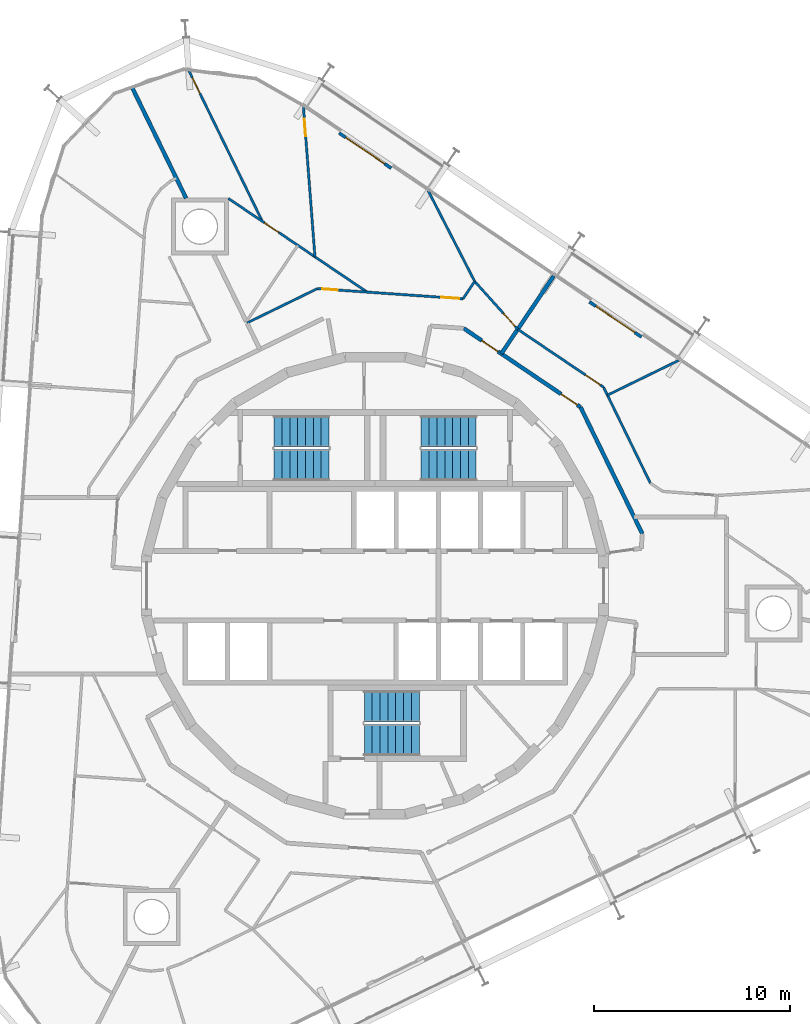
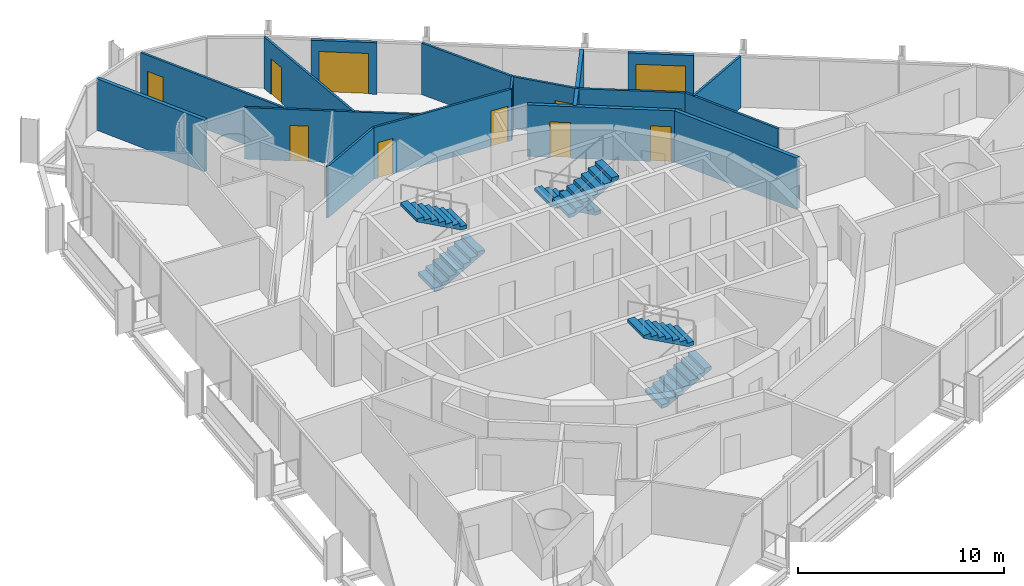
# One storey, part 16 of 17: 17 walls, 11 doors, 6 stair flights, 11 openings, 3 elements without a shape of their own.
"""IFC4 building model written with IfcOpenShell, lengths in metres."""

from ifc_helpers import new_model, si_unit, direction, frame, frame_2d, origin, place, context, subcontext, project, spatial, polyline, rectangle, outline, extrude, material, layer, layer_set, type_object, element, fill, aggregate, save


model = new_model("IFC4")

# Units and contexts
model_context = context("Model", 3, precision=1e-05, world=origin(), true_north=direction((0.0, 1.0)))
body_context = subcontext(model_context, "Body", "Model", "MODEL_VIEW")
ifc_project = project(units=[si_unit("LENGTHUNIT", "METRE"), si_unit("AREAUNIT", "SQUARE_METRE"), si_unit("VOLUMEUNIT", "CUBIC_METRE"), si_unit("PLANEANGLEUNIT", "RADIAN"), si_unit("MASSUNIT", "GRAM", prefix="KILO")], contexts=[model_context])

# Site, building, storey
site_placement = place(None, origin())
site = spatial("IfcSite", under=ifc_project, at=site_placement, CompositionType="ELEMENT")
building_placement = place(site_placement, origin())
building = spatial("IfcBuilding", under=site, at=building_placement, Name="Spindle Arch Residences", CompositionType="ELEMENT")
storey_placement = place(building_placement, frame((0.0, 0.0, 216.39990234375)))
storey = spatial("IfcBuildingStorey", under=building, at=storey_placement, Name="L55", CompositionType="ELEMENT", Elevation=216.39990234375)

# Wall, openings, doors
ifc_material_1 = material(Name="Calcium silicate block, plastered")
ifc_layer_1 = layer(ifc_material_1, 0.199951171875)
ifc_layer_set_1 = layer_set([ifc_layer_1], Name="Corridor wall 200")
wall_type_1 = type_object("IfcWallType", Name="Corridor wall 200", PredefinedType="STANDARD", material=ifc_layer_set_1)
wall_1_placement = place(storey_placement, frame((10.469970703125, 9.101318359375, 0.0), z_axis=(0.0, 0.0, 1.0), x_axis=(-0.829035841718, 0.559195469534, 0.0)))
wall_1 = element("IfcWall", 1, at=wall_1_placement, inside=storey, type_object=wall_type_1, Name="Corridor wall R5C0-W005", PredefinedType="STANDARD", context=body_context, shape_type="SweptSolid", body=[
    extrude(rectangle(XDim=7.18115234375, YDim=0.199951171875, at=frame_2d((3.590576171875, 0.0))), origin(), (0.0, 0.0, 1.0), 3.050048828125),
])
opening_1_placement = place(wall_1_placement, frame((0.199951171875, 0.0, 0.0)))
opening_1 = element("IfcOpeningElement", 2, at=opening_1_placement, cuts=wall_1, Name="Opening R5C0-FD01", PredefinedType="OPENING", context=body_context, shape_type="SweptSolid", body=[
    extrude(rectangle(XDim=1.0, YDim=2.10009765625, at=frame_2d((0.5, 1.050048828125))), frame((0.0, 0.10986328125, 0.0), z_axis=(0.0, -1.0, 0.0), x_axis=(1.0, 0.0, 0.0)), (0.0, 0.0, 1.0), 0.219970703125),
])
opening_2_placement = place(wall_1_placement, frame((5.07275390625, 0.0, 0.0)))
opening_2 = element("IfcOpeningElement", 3, at=opening_2_placement, cuts=wall_1, Name="Opening R5C0-FD02", PredefinedType="OPENING", context=body_context, shape_type="SweptSolid", body=[
    extrude(rectangle(XDim=1.0, YDim=2.10009765625, at=frame_2d((0.5, 1.050048828125))), frame((0.0, 0.10986328125, 0.0), z_axis=(0.0, -1.0, 0.0), x_axis=(1.0, 0.0, 0.0)), (0.0, 0.0, 1.0), 0.219970703125),
])
ifc_material_2 = material(Name="Timber, fire-resisting door set", Category="wood")
door_type_1 = type_object("IfcDoorType", Name="Flat entrance door 1000x2100", OperationType="NOTDEFINED", PredefinedType="DOOR", material=ifc_material_2)
door_1_placement = place(opening_1_placement, origin())
door_1 = element("IfcDoor", 4, at=door_1_placement, inside=storey, type_object=door_type_1, Name="Flat entrance door R5C0-FD01", OperationType="SINGLE_SWING_LEFT", OverallHeight=2.10009765625, OverallWidth=1.0, PredefinedType="DOOR", context=body_context, shape_type="SweptSolid", body=[
    extrude(rectangle(XDim=1.0, YDim=2.10009765625, at=frame_2d((0.5, 1.050048828125))), frame((0.0, 0.02490234375, 0.0), z_axis=(0.0, -1.0, 0.0), x_axis=(1.0, 0.0, 0.0)), (0.0, 0.0, 1.0), 0.050048828125),
])
fill(opening_1, door_1)
door_2_placement = place(opening_2_placement, origin())
door_2 = element("IfcDoor", 5, at=door_2_placement, inside=storey, type_object=door_type_1, Name="Flat entrance door R5C0-FD02", OperationType="SINGLE_SWING_RIGHT", OverallHeight=2.10009765625, OverallWidth=1.0, PredefinedType="DOOR", context=body_context, shape_type="SweptSolid", body=[
    extrude(rectangle(XDim=1.0, YDim=2.10009765625, at=frame_2d((0.5, 1.050048828125))), frame((0.0, 0.02490234375, 0.0), z_axis=(0.0, -1.0, 0.0), x_axis=(1.0, 0.0, 0.0)), (0.0, 0.0, 1.0), 0.050048828125),
])
fill(opening_2, door_2)

# Walls
ifc_material_3 = material(Name="Calcium silicate block, plastered")
ifc_layer_2 = layer(ifc_material_3, 0.199951171875)
ifc_layer_set_2 = layer_set([ifc_layer_2], Name="Fire-lift lobby bay wall 200")
wall_type_2 = type_object("IfcWallType", Name="Fire-lift lobby bay wall 200", PredefinedType="STANDARD", material=ifc_layer_set_2)
wall_2_placement = place(storey_placement, frame((13.617919921875, 2.64697265625, 0.0), z_axis=(0.0, 0.0, 1.0), x_axis=(-0.438366026218, 0.898796543751, 0.0)))
element("IfcWall", 6, at=wall_2_placement, inside=storey, type_object=wall_type_2, Name="Fire-lift lobby bay wall R5C0-W004", PredefinedType="STANDARD", context=body_context, shape_type="SweptSolid", body=[
    extrude(rectangle(XDim=7.18115234375, YDim=0.199951171875, at=frame_2d((3.590576171875, 0.0))), origin(), (0.0, 0.0, 1.0), 3.050048828125),
])
ifc_material_4 = material(Name="Plasterboard on steel studs", Category="steel")
ifc_layer_3 = layer(ifc_material_4, 0.1201171875)
ifc_layer_set_3 = layer_set([ifc_layer_3], Name="Flat partition 120")
wall_type_3 = type_object("IfcWallType", Name="Flat partition 120", PredefinedType="PARTITIONING", material=ifc_layer_set_3)
wall_3_placement = place(storey_placement, frame((14.02587890625, 5.232177734375, 0.0), z_axis=(0.0, 0.0, 1.0), x_axis=(-0.438374985284, 0.89879217413, 0.0)))
element("IfcWall", 7, at=wall_3_placement, inside=storey, type_object=wall_type_3, Name="Flat partition R5C0-W040", PredefinedType="PARTITIONING", context=body_context, shape_type="SweptSolid", body=[
    extrude(rectangle(XDim=5.438232421875, YDim=0.1201171875, at=frame_2d((2.71923828125, 0.0))), origin(), (0.0, 0.0, 1.0), 3.050048828125),
])

# Wall, opening, door
wall_4_placement = place(storey_placement, frame((11.641845703125, 10.1201171875, 0.0), z_axis=(0.0, 0.0, 1.0), x_axis=(-0.829054664054, 0.559167563446, 0.0)))
wall_4 = element("IfcWall", 8, at=wall_4_placement, inside=storey, type_object=wall_type_3, Name="Flat partition R5C0-W041", PredefinedType="PARTITIONING", context=body_context, shape_type="SweptSolid", body=[
    extrude(rectangle(XDim=5.274658203125, YDim=0.1201171875, at=frame_2d((2.63720703125, 0.0))), origin(), (0.0, 0.0, 1.0), 3.050048828125),
])
opening_3_placement = place(wall_4_placement, frame((0.199951171875, 0.0, 0.0)))
opening_3 = element("IfcOpeningElement", 9, at=opening_3_placement, cuts=wall_4, Name="Opening R5C0-ID02", PredefinedType="OPENING", context=body_context, shape_type="SweptSolid", body=[
    extrude(rectangle(XDim=0.89990234375, YDim=2.10009765625, at=frame_2d((0.449951171875, 1.050048828125))), frame((0.0, 0.070068359375, 0.0), z_axis=(0.0, -1.0, 0.0), x_axis=(1.0, 0.0, 0.0)), (0.0, 0.0, 1.0), 0.14013671875),
])
ifc_material_5 = material(Name="Timber door set", Category="wood")
door_type_2 = type_object("IfcDoorType", Name="Room door 900x2100", OperationType="NOTDEFINED", PredefinedType="DOOR", material=ifc_material_5)
door_3_placement = place(opening_3_placement, origin())
door_3 = element("IfcDoor", 10, at=door_3_placement, inside=storey, type_object=door_type_2, Name="Room door R5C0-ID02", OperationType="SINGLE_SWING_LEFT", OverallHeight=2.10009765625, OverallWidth=0.89990234375, PredefinedType="DOOR", context=body_context, shape_type="SweptSolid", body=[
    extrude(rectangle(XDim=0.89990234375, YDim=2.10009765625, at=frame_2d((0.449951171875, 1.050048828125))), frame((0.0, 0.02490234375, 0.0), z_axis=(0.0, -1.0, 0.0), x_axis=(1.0, 0.0, 0.0)), (0.0, 0.0, 1.0), 0.050048828125),
])
fill(opening_3, door_3)

# Wall
wall_5_placement = place(storey_placement, frame((15.48193359375, 11.4873046875, 0.0), z_axis=(0.0, 0.0, 1.0), x_axis=(-0.898807251285, -0.438344071521, 0.0)))
element("IfcWall", 11, at=wall_5_placement, inside=storey, type_object=wall_type_3, Name="Flat partition R5C0-W047", PredefinedType="PARTITIONING", context=body_context, shape_type="SweptSolid", body=[
    extrude(rectangle(XDim=4.05078125, YDim=0.1201171875, at=frame_2d((2.025390625, 0.0))), origin(), (0.0, 0.0, 1.0), 3.050048828125),
])

# Wall, opening, door
wall_6_placement = place(storey_placement, frame((7.268798828125, 13.069580078125, 0.0), z_axis=(0.0, 0.0, 1.0), x_axis=(-0.668495993587, 0.743715743116, 0.0)))
wall_6 = element("IfcWall", 12, at=wall_6_placement, inside=storey, type_object=wall_type_3, Name="Flat partition R5C0-W048", PredefinedType="PARTITIONING", context=body_context, shape_type="SweptSolid", body=[
    extrude(rectangle(XDim=3.281494140625, YDim=0.1201171875, at=frame_2d((1.640625, 0.0))), origin(), (0.0, 0.0, 1.0), 3.050048828125),
])
opening_4_placement = place(wall_6_placement, frame((0.199951171875, 0.0, 0.0)))
opening_4 = element("IfcOpeningElement", 13, at=opening_4_placement, cuts=wall_6, Name="Opening R5C0-ID05", PredefinedType="OPENING", context=body_context, shape_type="SweptSolid", body=[
    extrude(rectangle(XDim=0.89990234375, YDim=2.10009765625, at=frame_2d((0.449951171875, 1.050048828125))), frame((0.0, 0.070068359375, 0.0), z_axis=(0.0, -1.0, 0.0), x_axis=(1.0, 0.0, 0.0)), (0.0, 0.0, 1.0), 0.14013671875),
])
door_4_placement = place(opening_4_placement, origin())
door_4 = element("IfcDoor", 14, at=door_4_placement, inside=storey, type_object=door_type_2, Name="Room door R5C0-ID05", OperationType="SINGLE_SWING_RIGHT", OverallHeight=2.10009765625, OverallWidth=0.89990234375, PredefinedType="DOOR", context=body_context, shape_type="SweptSolid", body=[
    extrude(rectangle(XDim=0.89990234375, YDim=2.10009765625, at=frame_2d((0.449951171875, 1.050048828125))), frame((0.0, 0.02490234375, 0.0), z_axis=(0.0, -1.0, 0.0), x_axis=(1.0, 0.0, 0.0)), (0.0, 0.0, 1.0), 0.050048828125),
])
fill(opening_4, door_4)

# Wall
wall_7_placement = place(storey_placement, frame((5.0751953125, 15.510009765625, 0.0), z_axis=(0.0, 0.0, 1.0), x_axis=(-0.559221936342, -0.829017988896, 0.0)))
element("IfcWall", 15, at=wall_7_placement, inside=storey, type_object=wall_type_3, Name="Flat partition R5C0-W049", PredefinedType="PARTITIONING", context=body_context, shape_type="SweptSolid", body=[
    extrude(rectangle(XDim=1.069580078125, YDim=0.1201171875, at=frame_2d((0.53466796875, 0.0))), origin(), (0.0, 0.0, 1.0), 3.050048828125),
])

# Wall, openings, doors
wall_8_placement = place(storey_placement, frame((4.47705078125, 14.623291015625, 0.0), z_axis=(0.0, 0.0, 1.0), x_axis=(-0.997564862172, 0.069744861884, 0.0)))
wall_8 = element("IfcWall", 16, at=wall_8_placement, inside=storey, type_object=wall_type_3, Name="Flat partition R5C0-W050", PredefinedType="PARTITIONING", context=body_context, shape_type="SweptSolid", body=[
    extrude(rectangle(XDim=7.4384765625, YDim=0.1201171875, at=frame_2d((3.71923828125, 0.0))), origin(), (0.0, 0.0, 1.0), 3.050048828125),
])
opening_5_placement = place(wall_8_placement, frame((0.199951171875, 0.0, 0.0)))
opening_5 = element("IfcOpeningElement", 17, at=opening_5_placement, cuts=wall_8, Name="Opening R5C0-ID06", PredefinedType="OPENING", context=body_context, shape_type="SweptSolid", body=[
    extrude(rectangle(XDim=0.89990234375, YDim=2.10009765625, at=frame_2d((0.449951171875, 1.050048828125))), frame((0.0, 0.070068359375, 0.0), z_axis=(0.0, -1.0, 0.0), x_axis=(1.0, 0.0, 0.0)), (0.0, 0.0, 1.0), 0.14013671875),
])
opening_6_placement = place(wall_8_placement, frame((6.39208984375, 0.0, 0.0)))
opening_6 = element("IfcOpeningElement", 18, at=opening_6_placement, cuts=wall_8, Name="Opening R5C0-BD02", PredefinedType="OPENING", context=body_context, shape_type="SweptSolid", body=[
    extrude(rectangle(XDim=0.800048828125, YDim=2.10009765625, at=frame_2d((0.39990234375, 1.050048828125))), frame((0.0, 0.070068359375, 0.0), z_axis=(0.0, -1.0, 0.0), x_axis=(1.0, 0.0, 0.0)), (0.0, 0.0, 1.0), 0.14013671875),
])
ifc_material_6 = material(Name="Timber door set", Category="wood")
door_type_3 = type_object("IfcDoorType", Name="Bathroom door 800x2100", OperationType="NOTDEFINED", PredefinedType="DOOR", material=ifc_material_6)
door_5_placement = place(opening_6_placement, origin())
door_5 = element("IfcDoor", 19, at=door_5_placement, inside=storey, type_object=door_type_3, Name="Bathroom door R5C0-BD02", OperationType="SINGLE_SWING_RIGHT", OverallHeight=2.10009765625, OverallWidth=0.800048828125, PredefinedType="DOOR", context=body_context, shape_type="SweptSolid", body=[
    extrude(rectangle(XDim=0.800048828125, YDim=2.10009765625, at=frame_2d((0.39990234375, 1.050048828125))), frame((0.0, 0.02490234375, 0.0), z_axis=(0.0, -1.0, 0.0), x_axis=(1.0, 0.0, 0.0)), (0.0, 0.0, 1.0), 0.050048828125),
])
fill(opening_6, door_5)
door_6_placement = place(opening_5_placement, origin())
door_6 = element("IfcDoor", 20, at=door_6_placement, inside=storey, type_object=door_type_2, Name="Room door R5C0-ID06", OperationType="SINGLE_SWING_RIGHT", OverallHeight=2.10009765625, OverallWidth=0.89990234375, PredefinedType="DOOR", context=body_context, shape_type="SweptSolid", body=[
    extrude(rectangle(XDim=0.89990234375, YDim=2.10009765625, at=frame_2d((0.449951171875, 1.050048828125))), frame((0.0, 0.02490234375, 0.0), z_axis=(0.0, -1.0, 0.0), x_axis=(1.0, 0.0, 0.0)), (0.0, 0.0, 1.0), 0.050048828125),
])
fill(opening_5, door_6)

# Walls
wall_9_placement = place(storey_placement, frame((-2.943359375, 15.14208984375, 0.0), z_axis=(0.0, 0.0, 1.0), x_axis=(-0.89881075705, -0.438336883014, 0.0)))
element("IfcWall", 21, at=wall_9_placement, inside=storey, type_object=wall_type_3, Name="Flat partition R5C0-W051", PredefinedType="PARTITIONING", context=body_context, shape_type="SweptSolid", body=[
    extrude(rectangle(XDim=3.992431640625, YDim=0.1201171875, at=frame_2d((1.99609375, 0.0))), origin(), (0.0, 0.0, 1.0), 3.050048828125),
])
wall_10_placement = place(storey_placement, frame((2.696044921875, 20.1484375, 0.0), z_axis=(0.0, 0.0, 1.0), x_axis=(0.456387956197, -0.889780890691, 0.0)))
element("IfcWall", 22, at=wall_10_placement, inside=storey, type_object=wall_type_3, Name="Flat partition R5C0-W052", PredefinedType="PARTITIONING", context=body_context, shape_type="SweptSolid", body=[
    extrude(rectangle(XDim=5.212890625, YDim=0.1201171875, at=frame_2d((2.6064453125, 0.0))), origin(), (0.0, 0.0, 1.0), 3.050048828125),
])

# Wall, opening, door
wall_11_placement = place(storey_placement, frame((-7.475830078125, 19.735107421875, 0.0), z_axis=(0.0, 0.0, 1.0), x_axis=(0.829035412992, -0.559196105142, 0.0)))
wall_11 = element("IfcWall", 23, at=wall_11_placement, inside=storey, type_object=wall_type_3, Name="Flat partition R5C0-W053", PredefinedType="PARTITIONING", context=body_context, shape_type="SweptSolid", body=[
    extrude(rectangle(XDim=8.531005859375, YDim=0.1201171875, at=frame_2d((4.265625, 0.0))), origin(), (0.0, 0.0, 1.0), 3.050048828125),
])
opening_7_placement = place(wall_11_placement, frame((2.20361328125, 0.0, 0.0)))
opening_7 = element("IfcOpeningElement", 24, at=opening_7_placement, cuts=wall_11, Name="Opening R5C0-ID08", PredefinedType="OPENING", context=body_context, shape_type="SweptSolid", body=[
    extrude(rectangle(XDim=0.89990234375, YDim=2.10009765625, at=frame_2d((0.449951171875, 1.050048828125))), frame((0.0, 0.070068359375, 0.0), z_axis=(0.0, -1.0, 0.0), x_axis=(1.0, 0.0, 0.0)), (0.0, 0.0, 1.0), 0.14013671875),
])
door_7_placement = place(opening_7_placement, origin())
door_7 = element("IfcDoor", 25, at=door_7_placement, inside=storey, type_object=door_type_2, Name="Room door R5C0-ID08", OperationType="SINGLE_SWING_LEFT", OverallHeight=2.10009765625, OverallWidth=0.89990234375, PredefinedType="DOOR", context=body_context, shape_type="SweptSolid", body=[
    extrude(rectangle(XDim=0.89990234375, YDim=2.10009765625, at=frame_2d((0.449951171875, 1.050048828125))), frame((0.0, 0.02490234375, 0.0), z_axis=(0.0, -1.0, 0.0), x_axis=(1.0, 0.0, 0.0)), (0.0, 0.0, 1.0), 0.050048828125),
])
fill(opening_7, door_7)

wall_12_placement = place(storey_placement, frame((-3.6533203125, 24.39404296875, 0.0), z_axis=(0.0, 0.0, 1.0), x_axis=(0.076513576433, -0.997068539581, 0.0)))
wall_12 = element("IfcWall", 26, at=wall_12_placement, inside=storey, type_object=wall_type_3, Name="Flat partition R5C0-W054", PredefinedType="PARTITIONING", context=body_context, shape_type="SweptSolid", body=[
    extrude(rectangle(XDim=7.65478515625, YDim=0.1201171875, at=frame_2d((3.827392578125, 0.0))), origin(), (0.0, 0.0, 1.0), 3.050048828125),
])
opening_8_placement = place(wall_12_placement, frame((0.60009765625, 0.0, 0.0)))
opening_8 = element("IfcOpeningElement", 27, at=opening_8_placement, cuts=wall_12, Name="Opening R5C0-ID07", PredefinedType="OPENING", context=body_context, shape_type="SweptSolid", body=[
    extrude(rectangle(XDim=0.89990234375, YDim=2.10009765625, at=frame_2d((0.449951171875, 1.050048828125))), frame((0.0, 0.070068359375, 0.0), z_axis=(0.0, -1.0, 0.0), x_axis=(1.0, 0.0, 0.0)), (0.0, 0.0, 1.0), 0.14013671875),
])
door_8_placement = place(opening_8_placement, origin())
door_8 = element("IfcDoor", 28, at=door_8_placement, inside=storey, type_object=door_type_2, Name="Room door R5C0-ID07", OperationType="SINGLE_SWING_RIGHT", OverallHeight=2.10009765625, OverallWidth=0.89990234375, PredefinedType="DOOR", context=body_context, shape_type="SweptSolid", body=[
    extrude(rectangle(XDim=0.89990234375, YDim=2.10009765625, at=frame_2d((0.449951171875, 1.050048828125))), frame((0.0, 0.02490234375, 0.0), z_axis=(0.0, -1.0, 0.0), x_axis=(1.0, 0.0, 0.0)), (0.0, 0.0, 1.0), 0.050048828125),
])
fill(opening_8, door_8)

wall_13_placement = place(storey_placement, frame((-9.49609375, 26.25390625, 0.0), z_axis=(0.0, 0.0, 1.0), x_axis=(0.438361739807, -0.89879863433, 0.0)))
wall_13 = element("IfcWall", 29, at=wall_13_placement, inside=storey, type_object=wall_type_3, Name="Flat partition R5C0-W056", PredefinedType="PARTITIONING", context=body_context, shape_type="SweptSolid", body=[
    extrude(rectangle(XDim=8.549072265625, YDim=0.1201171875, at=frame_2d((4.2744140625, 0.0))), origin(), (0.0, 0.0, 1.0), 3.050048828125),
])
opening_9_placement = place(wall_13_placement, frame((0.39990234375, 0.0, 0.0)))
opening_9 = element("IfcOpeningElement", 30, at=opening_9_placement, cuts=wall_13, Name="Opening R5C0-ID09", PredefinedType="OPENING", context=body_context, shape_type="SweptSolid", body=[
    extrude(rectangle(XDim=0.89990234375, YDim=2.10009765625, at=frame_2d((0.449951171875, 1.050048828125))), frame((0.0, 0.070068359375, 0.0), z_axis=(0.0, -1.0, 0.0), x_axis=(1.0, 0.0, 0.0)), (0.0, 0.0, 1.0), 0.14013671875),
])
door_9_placement = place(opening_9_placement, origin())
door_9 = element("IfcDoor", 31, at=door_9_placement, inside=storey, type_object=door_type_2, Name="Room door R5C0-ID09", OperationType="SINGLE_SWING_RIGHT", OverallHeight=2.10009765625, OverallWidth=0.89990234375, PredefinedType="DOOR", context=body_context, shape_type="SweptSolid", body=[
    extrude(rectangle(XDim=0.89990234375, YDim=2.10009765625, at=frame_2d((0.449951171875, 1.050048828125))), frame((0.0, 0.02490234375, 0.0), z_axis=(0.0, -1.0, 0.0), x_axis=(1.0, 0.0, 0.0)), (0.0, 0.0, 1.0), 0.050048828125),
])
fill(opening_9, door_9)

# Walls
ifc_material_7 = material(Name="Calcium silicate block, plastered")
ifc_layer_4 = layer(ifc_material_7, 0.199951171875)
ifc_layer_set_4 = layer_set([ifc_layer_4], Name="Flat party wall 200")
wall_type_4 = type_object("IfcWallType", Name="Flat party wall 200", PredefinedType="STANDARD", material=ifc_layer_set_4)
wall_14_placement = place(storey_placement, frame((9.103515625, 15.78955078125, 0.0), z_axis=(0.0, 0.0, 1.0), x_axis=(-0.559193912135, -0.829036892201, 0.0)))
element("IfcWall", 32, at=wall_14_placement, inside=storey, type_object=wall_type_4, Name="Flat party wall R5C0-W027", PredefinedType="STANDARD", context=body_context, shape_type="SweptSolid", body=[
    extrude(rectangle(XDim=4.78076171875, YDim=0.199951171875, at=frame_2d((2.390380859375, 0.0))), origin(), (0.0, 0.0, 1.0), 3.050048828125),
])
wall_15_placement = place(storey_placement, frame((-12.4091796875, 25.4423828125, 0.0), z_axis=(0.0, 0.0, 1.0), x_axis=(0.43838641251, -0.898786600549, 0.0)))
element("IfcWall", 33, at=wall_15_placement, inside=storey, type_object=wall_type_4, Name="Flat party wall R5C0-W032", PredefinedType="STANDARD", context=body_context, shape_type="SweptSolid", body=[
    extrude(rectangle(XDim=6.33251953125, YDim=0.199951171875, at=frame_2d((3.166259765625, 0.0))), origin(), (0.0, 0.0, 1.0), 3.050048828125),
])

# Wall, opening, door
ifc_material_8 = material(Name="Non-combustible mineral wool insulated aluminium faced external wall (K0)", Category="aluminium")
ifc_layer_5 = layer(ifc_material_8, 0.159912109375)
ifc_layer_set_5 = layer_set([ifc_layer_5], Name="Insulated external wall panel 160")
wall_type_5 = type_object("IfcWallType", Name="Insulated external wall panel 160", PredefinedType="STANDARD", material=ifc_layer_set_5)
wall_16_placement = place(storey_placement, frame((13.574462890625, 12.677490234375, 0.0), z_axis=(0.0, 0.0, 1.0), x_axis=(-0.829068838882, 0.55914654644, 0.0)))
wall_16 = element("IfcWall", 34, at=wall_16_placement, inside=storey, type_object=wall_type_5, Name="External wall L55 bay 7", PredefinedType="STANDARD", context=body_context, shape_type="SweptSolid", body=[
    extrude(rectangle(XDim=3.199951171875, YDim=0.159912109375, at=frame_2d((1.60009765625, 0.0))), origin(), (0.0, 0.0, 1.0), 3.050048828125),
])
opening_10_placement = place(wall_16_placement, frame((0.39990234375, 0.0, 0.0)))
opening_10 = element("IfcOpeningElement", 35, at=opening_10_placement, cuts=wall_16, Name="Opening BD07", PredefinedType="OPENING", context=body_context, shape_type="SweptSolid", body=[
    extrude(rectangle(XDim=2.39990234375, YDim=2.39990234375, at=frame_2d((1.199951171875, 1.199951171875))), frame((0.0, 0.08984375, 0.0), z_axis=(0.0, -1.0, 0.0), x_axis=(1.0, 0.0, 0.0)), (0.0, 0.0, 1.0), 0.179931640625),
])
ifc_material_9 = material(Name="Bronze aluminium frame, tinted double glazing", Category="aluminium")
door_type_4 = type_object("IfcDoorType", Name="Sliding glazed balcony door 2400x2400", OperationType="DOUBLE_DOOR_SLIDING", PredefinedType="DOOR", material=ifc_material_9)
door_10_placement = place(opening_10_placement, origin())
door_10 = element("IfcDoor", 36, at=door_10_placement, inside=storey, type_object=door_type_4, Name="Balcony door BD07", OperationType="DOUBLE_DOOR_SLIDING", OverallHeight=2.39990234375, OverallWidth=2.39990234375, PredefinedType="DOOR", context=body_context, shape_type="SweptSolid", body=[
    extrude(rectangle(XDim=2.39990234375, YDim=2.39990234375, at=frame_2d((1.199951171875, 1.199951171875))), frame((0.0, 0.02490234375, 0.0), z_axis=(0.0, -1.0, 0.0), x_axis=(1.0, 0.0, 0.0)), (0.0, 0.0, 1.0), 0.050048828125),
])
fill(opening_10, door_10)

wall_17_placement = place(storey_placement, frame((0.817626953125, 21.281982421875, 0.0), z_axis=(0.0, 0.0, 1.0), x_axis=(-0.829044984211, 0.559181915082, 0.0)))
wall_17 = element("IfcWall", 37, at=wall_17_placement, inside=storey, type_object=wall_type_5, Name="External wall L55 bay 9", PredefinedType="STANDARD", context=body_context, shape_type="SweptSolid", body=[
    extrude(rectangle(XDim=3.199951171875, YDim=0.159912109375, at=frame_2d((1.60009765625, 0.0))), origin(), (0.0, 0.0, 1.0), 3.050048828125),
])
opening_11_placement = place(wall_17_placement, frame((0.39990234375, 0.0, 0.0)))
opening_11 = element("IfcOpeningElement", 38, at=opening_11_placement, cuts=wall_17, Name="Opening BD09", PredefinedType="OPENING", context=body_context, shape_type="SweptSolid", body=[
    extrude(rectangle(XDim=2.39990234375, YDim=2.39990234375, at=frame_2d((1.199951171875, 1.199951171875))), frame((0.0, 0.08984375, 0.0), z_axis=(0.0, -1.0, 0.0), x_axis=(1.0, 0.0, 0.0)), (0.0, 0.0, 1.0), 0.179931640625),
])
door_11_placement = place(opening_11_placement, origin())
door_11 = element("IfcDoor", 39, at=door_11_placement, inside=storey, type_object=door_type_4, Name="Balcony door BD09", OperationType="DOUBLE_DOOR_SLIDING", OverallHeight=2.39990234375, OverallWidth=2.39990234375, PredefinedType="DOOR", context=body_context, shape_type="SweptSolid", body=[
    extrude(rectangle(XDim=2.39990234375, YDim=2.39990234375, at=frame_2d((1.199951171875, 1.199951171875))), frame((0.0, 0.02490234375, 0.0), z_axis=(0.0, -1.0, 0.0), x_axis=(1.0, 0.0, 0.0)), (0.0, 0.0, 1.0), 0.050048828125),
])
fill(opening_11, door_11)

# Stair, stair flights
ifc_material_10 = material(Name="Concrete C50/60", Category="concrete")
stair_type = type_object("IfcStairType", Name="Exit stair 16 risers", PredefinedType="HALF_TURN_STAIR", material=ifc_material_10)
stair_1_placement = place(storey_placement, origin())
stair_1 = element("IfcStair", 40, at=stair_1_placement, inside=storey, type_object=stair_type, Name="L55 Exit stair ST1", PredefinedType="HALF_TURN_STAIR")
ifc_material_11 = material(Name="Concrete C50/60", Category="concrete")
stair_flight_type = type_object("IfcStairFlightType", Name="Exit stair flight", PredefinedType="STRAIGHT", material=ifc_material_11)
stair_flight_1_placement = place(storey_placement, frame((5.14990234375, 7.8701171875, 0.0), z_axis=(0.0, 0.0, 1.0), x_axis=(-1.0, 0.0, 0.0)))
stair_flight_1 = element("IfcStairFlight", 41, at=stair_flight_1_placement, type_object=stair_flight_type, Name="ST1 flight 1", NumberOfRisers=8, NumberOfTreads=7, PredefinedType="STRAIGHT", RiserHeight=0.21875, TreadLength=0.4, context=body_context, shape_type="SweptSolid", body=[
    extrude(outline(polyline([(0.0, 0.0), (0.0, 0.21875), (0.39990234375, 0.21875), (0.39990234375, 0.4375), (0.800048828125, 0.4375), (0.800048828125, 0.65625), (1.199951171875, 0.65625), (1.199951171875, 0.875), (1.60009765625, 0.875), (1.60009765625, 1.09375), (2.0, 1.09375), (2.0, 1.3125), (2.39990234375, 1.3125), (2.39990234375, 1.53125), (2.800048828125, 1.53125), (2.800048828125, 1.75), (2.800048828125, 1.3603515625), (0.3125, 0.0), (0.0, 0.0)])), frame((0.0, 0.800048828125, 0.0), z_axis=(0.0, -1.0, 0.0), x_axis=(1.0, 0.0, 0.0)), (0.0, 0.0, 1.0), 1.60009765625),
])
stair_flight_2_placement = place(storey_placement, frame((2.35009765625, 6.14990234375, 1.75), z_axis=(0.0, 0.0, 1.0), x_axis=(1.0, 0.0, 0.0)))
stair_flight_2 = element("IfcStairFlight", 42, at=stair_flight_2_placement, type_object=stair_flight_type, Name="ST1 flight 2", NumberOfRisers=8, NumberOfTreads=7, PredefinedType="STRAIGHT", RiserHeight=0.21875, TreadLength=0.4, context=body_context, shape_type="SweptSolid", body=[
    extrude(outline(polyline([(0.0, 0.0), (0.0, 0.21875), (0.39990234375, 0.21875), (0.39990234375, 0.4375), (0.800048828125, 0.4375), (0.800048828125, 0.65625), (1.199951171875, 0.65625), (1.199951171875, 0.875), (1.60009765625, 0.875), (1.60009765625, 1.09375), (2.0, 1.09375), (2.0, 1.3125), (2.39990234375, 1.3125), (2.39990234375, 1.53125), (2.800048828125, 1.53125), (2.800048828125, 1.75), (2.800048828125, 1.3603515625), (0.3125, 0.0), (0.0, 0.0)])), frame((0.0, 0.800048828125, 0.0), z_axis=(0.0, -1.0, 0.0), x_axis=(1.0, 0.0, 0.0)), (0.0, 0.0, 1.0), 1.60009765625),
])
aggregate(stair_1, [stair_flight_1, stair_flight_2])

stair_2_placement = place(storey_placement, origin())
stair_2 = element("IfcStair", 43, at=stair_2_placement, inside=storey, type_object=stair_type, Name="L55 Exit stair ST2", PredefinedType="HALF_TURN_STAIR")
stair_flight_3_placement = place(storey_placement, frame((-5.14990234375, 6.14990234375, 0.0), z_axis=(0.0, 0.0, 1.0), x_axis=(1.0, 0.0, 0.0)))
stair_flight_3 = element("IfcStairFlight", 44, at=stair_flight_3_placement, type_object=stair_flight_type, Name="ST2 flight 1", NumberOfRisers=8, NumberOfTreads=7, PredefinedType="STRAIGHT", RiserHeight=0.21875, TreadLength=0.4, context=body_context, shape_type="SweptSolid", body=[
    extrude(outline(polyline([(0.0, 0.0), (0.0, 0.21875), (0.39990234375, 0.21875), (0.39990234375, 0.4375), (0.800048828125, 0.4375), (0.800048828125, 0.65625), (1.199951171875, 0.65625), (1.199951171875, 0.875), (1.60009765625, 0.875), (1.60009765625, 1.09375), (2.0, 1.09375), (2.0, 1.3125), (2.39990234375, 1.3125), (2.39990234375, 1.53125), (2.800048828125, 1.53125), (2.800048828125, 1.75), (2.800048828125, 1.3603515625), (0.3125, 0.0), (0.0, 0.0)])), frame((0.0, 0.800048828125, 0.0), z_axis=(0.0, -1.0, 0.0), x_axis=(1.0, 0.0, 0.0)), (0.0, 0.0, 1.0), 1.60009765625),
])
stair_flight_4_placement = place(storey_placement, frame((-2.35009765625, 7.8701171875, 1.75), z_axis=(0.0, 0.0, 1.0), x_axis=(-1.0, 0.0, 0.0)))
stair_flight_4 = element("IfcStairFlight", 45, at=stair_flight_4_placement, type_object=stair_flight_type, Name="ST2 flight 2", NumberOfRisers=8, NumberOfTreads=7, PredefinedType="STRAIGHT", RiserHeight=0.21875, TreadLength=0.4, context=body_context, shape_type="SweptSolid", body=[
    extrude(outline(polyline([(0.0, 0.0), (0.0, 0.21875), (0.39990234375, 0.21875), (0.39990234375, 0.4375), (0.800048828125, 0.4375), (0.800048828125, 0.65625), (1.199951171875, 0.65625), (1.199951171875, 0.875), (1.60009765625, 0.875), (1.60009765625, 1.09375), (2.0, 1.09375), (2.0, 1.3125), (2.39990234375, 1.3125), (2.39990234375, 1.53125), (2.800048828125, 1.53125), (2.800048828125, 1.75), (2.800048828125, 1.3603515625), (0.3125, 0.0), (0.0, 0.0)])), frame((0.0, 0.800048828125, 0.0), z_axis=(0.0, -1.0, 0.0), x_axis=(1.0, 0.0, 0.0)), (0.0, 0.0, 1.0), 1.60009765625),
])
aggregate(stair_2, [stair_flight_3, stair_flight_4])

stair_3_placement = place(storey_placement, origin())
stair_3 = element("IfcStair", 46, at=stair_3_placement, inside=storey, type_object=stair_type, Name="L55 Exit stair ST3", PredefinedType="HALF_TURN_STAIR")
stair_flight_5_placement = place(storey_placement, frame((-0.550048828125, -7.8701171875, 0.0), z_axis=(0.0, 0.0, 1.0), x_axis=(1.0, 0.0, 0.0)))
stair_flight_5 = element("IfcStairFlight", 47, at=stair_flight_5_placement, type_object=stair_flight_type, Name="ST3 flight 1", NumberOfRisers=8, NumberOfTreads=7, PredefinedType="STRAIGHT", RiserHeight=0.21875, TreadLength=0.4, context=body_context, shape_type="SweptSolid", body=[
    extrude(outline(polyline([(0.0, 0.0), (0.0, 0.21875), (0.39990234375, 0.21875), (0.39990234375, 0.4375), (0.800048828125, 0.4375), (0.800048828125, 0.65625), (1.199951171875, 0.65625), (1.199951171875, 0.875), (1.60009765625, 0.875), (1.60009765625, 1.09375), (2.0, 1.09375), (2.0, 1.3125), (2.39990234375, 1.3125), (2.39990234375, 1.53125), (2.800048828125, 1.53125), (2.800048828125, 1.75), (2.800048828125, 1.3603515625), (0.3125, 0.0), (0.0, 0.0)])), frame((0.0, 0.800048828125, 0.0), z_axis=(0.0, -1.0, 0.0), x_axis=(1.0, 0.0, 0.0)), (0.0, 0.0, 1.0), 1.60009765625),
])
stair_flight_6_placement = place(storey_placement, frame((2.25, -6.14990234375, 1.75), z_axis=(0.0, 0.0, 1.0), x_axis=(-1.0, 0.0, 0.0)))
stair_flight_6 = element("IfcStairFlight", 48, at=stair_flight_6_placement, type_object=stair_flight_type, Name="ST3 flight 2", NumberOfRisers=8, NumberOfTreads=7, PredefinedType="STRAIGHT", RiserHeight=0.21875, TreadLength=0.4, context=body_context, shape_type="SweptSolid", body=[
    extrude(outline(polyline([(0.0, 0.0), (0.0, 0.21875), (0.39990234375, 0.21875), (0.39990234375, 0.4375), (0.800048828125, 0.4375), (0.800048828125, 0.65625), (1.199951171875, 0.65625), (1.199951171875, 0.875), (1.60009765625, 0.875), (1.60009765625, 1.09375), (2.0, 1.09375), (2.0, 1.3125), (2.39990234375, 1.3125), (2.39990234375, 1.53125), (2.800048828125, 1.53125), (2.800048828125, 1.75), (2.800048828125, 1.3603515625), (0.3125, 0.0), (0.0, 0.0)])), frame((0.0, 0.800048828125, 0.0), z_axis=(0.0, -1.0, 0.0), x_axis=(1.0, 0.0, 0.0)), (0.0, 0.0, 1.0), 1.60009765625),
])
aggregate(stair_3, [stair_flight_5, stair_flight_6])

save(model, "model.ifc")
